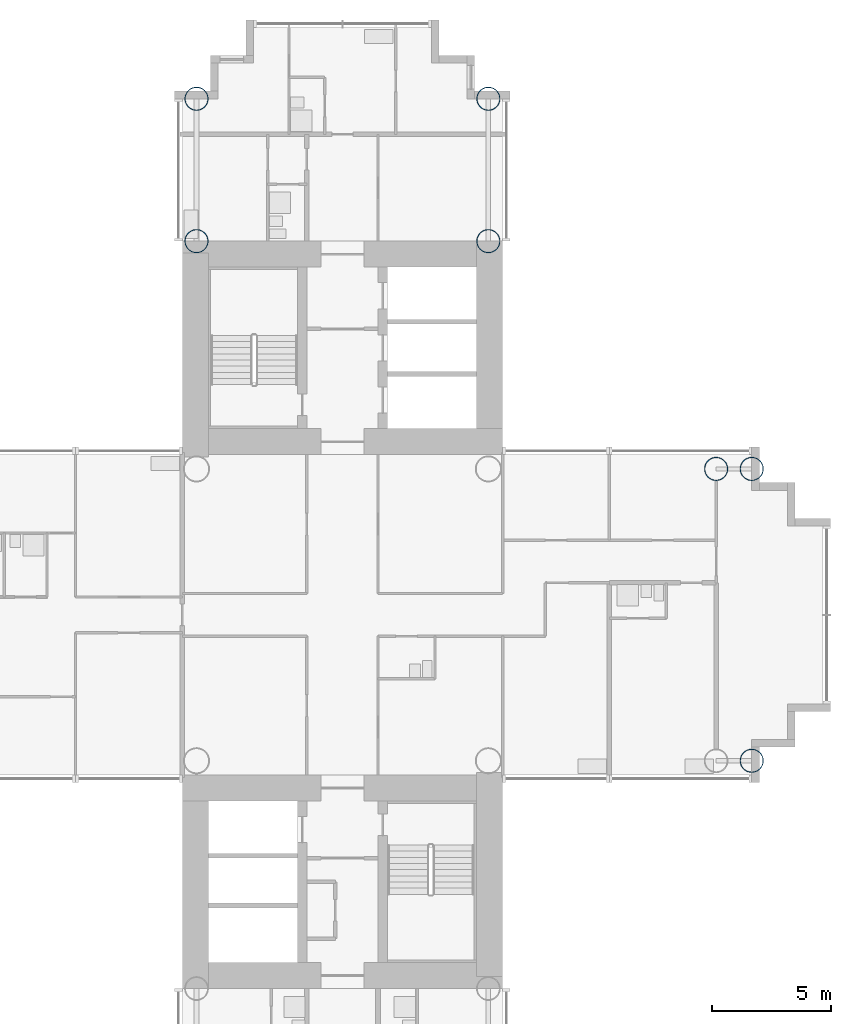
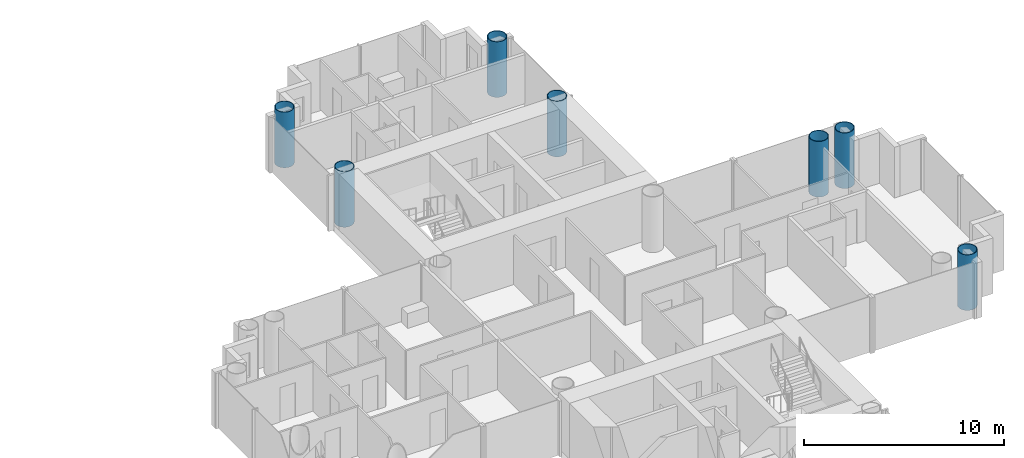
# One storey, part 2 of 22: 7 columns.
"""IFC4 building model written with IfcOpenShell, lengths in metres."""

from ifc_helpers import new_model, si_unit, direction, frame, origin, origin_2d, place, context, subcontext, project, spatial, hollow_circle, extrude, material, material_profile, profile_set, type_object, element, save


model = new_model("IFC4")

# Units and contexts
model_context = context("Model", 3, precision=1e-05, world=origin(), true_north=direction((0.0, 1.0)))
body_context = subcontext(model_context, "Body", "Model", "MODEL_VIEW")
ifc_project = project(units=[si_unit("LENGTHUNIT", "METRE"), si_unit("AREAUNIT", "SQUARE_METRE"), si_unit("VOLUMEUNIT", "CUBIC_METRE"), si_unit("PLANEANGLEUNIT", "RADIAN"), si_unit("MASSUNIT", "GRAM", prefix="KILO")], contexts=[model_context])

# Site, building, storey
site_placement = place(None, origin())
site = spatial("IfcSite", under=ifc_project, at=site_placement, CompositionType="ELEMENT")
building_placement = place(site_placement, origin())
building = spatial("IfcBuilding", under=site, at=building_placement, Name="Ipe Terrace Towers", CompositionType="ELEMENT")
storey_placement = place(building_placement, frame((0.0, 0.0, 61.89990234375)))
storey = spatial("IfcBuildingStorey", under=building, at=storey_placement, Name="L16", CompositionType="ELEMENT", Elevation=61.89990234375)

# Columns
ifc_material = material(Name="Steel S355 tube with Concrete C60/75 fill", Category="concrete")
ifc_material_profile = material_profile(ifc_material, hollow_circle(Radius=0.5, WallThickness=0.035888671875, at=origin_2d()), Name="CHS-1000x36")
ifc_profile_set = profile_set([ifc_material_profile], Name="Steel S355 tube with Concrete C60/75 fill")
column_type = type_object("IfcColumnType", Name="CH01 COLUMN CHS-1000x36", PredefinedType="COLUMN", material=ifc_profile_set)
for number, where, z_axis, x_axis, name in (
    (1, (42.14990234375, 15.75, 0.0), (0.0, 0.0, 1.0), (1.0, 0.0, 0.0), "Column T2-C-A01"),
    (2, (29.85009765625, 15.75, 0.0), (0.0, 0.0, 1.0), (1.0, 0.0, 0.0), "Column T2-C-A02"),
    (3, (42.14990234375, 21.75, 0.0), (0.0, 0.0, 1.0), (1.0, 0.0, 0.0), "Column T2-C-A03"),
    (4, (29.85009765625, 21.75, 0.0), (0.0, 0.0, 1.0), (1.0, 0.0, 0.0), "Column T2-C-A04"),
    (5, (51.75, 6.14990234375, 0.0), (0.0, 0.0, 1.0), (1.0, 0.0, 0.0), "Column T2-C-D04"),
    (6, (53.25, -6.14990234375, 0.0), (0.0, 0.0, 1.0), (1.0, 0.0, 0.0), "Column T2-C-D05"),
    (7, (53.25, 6.14990234375, 0.0), (0.0, 0.0, 1.0), (1.0, 0.0, 0.0), "Column T2-C-D06"),
):
    element("IfcColumn", number, at=place(storey_placement, frame(where, z_axis=z_axis, x_axis=x_axis)), inside=storey, type_object=column_type, Name=name, PredefinedType="COLUMN", context=body_context, shape_type="SweptSolid", body=[
        extrude(hollow_circle(Radius=0.5, WallThickness=0.035888671875, at=origin_2d()), origin(), (0.0, 0.0, 1.0), 3.400146484375),
    ])

save(model, "model.ifc")
